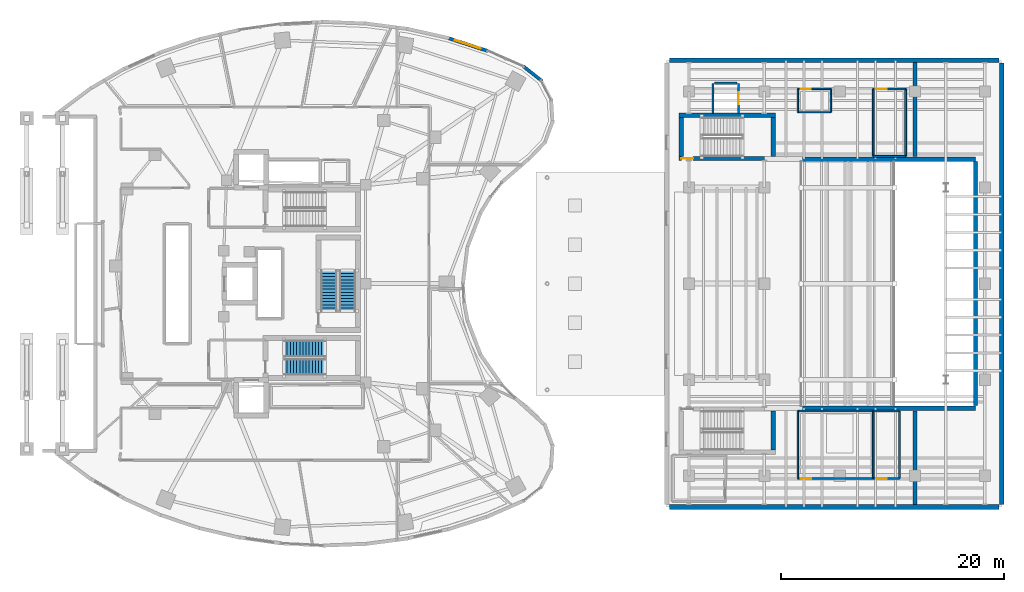
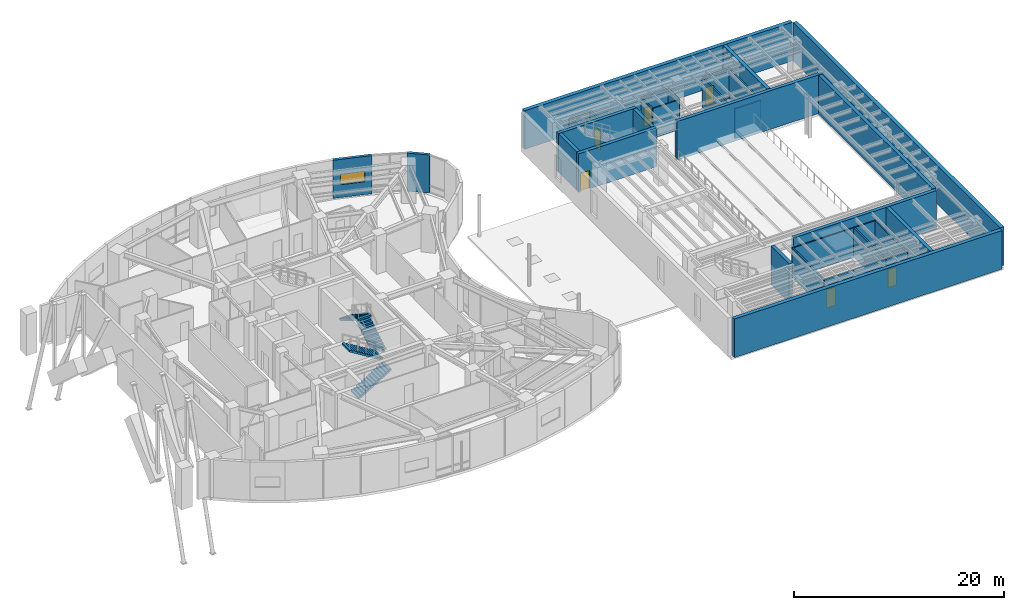
# One storey, part 19 of 24: 33 walls, 6 doors, 4 stair flights, 1 window, 7 openings, 2 elements without a shape of their own.
"""IFC4 building model written with IfcOpenShell, lengths in metres."""

from ifc_helpers import new_model, si_unit, direction, frame, frame_2d, origin, place, context, subcontext, project, spatial, polyline, rectangle, outline, extrude, material, layer, layer_set, type_object, element, fill, aggregate, save


model = new_model("IFC4")

# Units and contexts
model_context = context("Model", 3, precision=1e-05, world=origin(), true_north=direction((0.0, 1.0)))
body_context = subcontext(model_context, "Body", "Model", "MODEL_VIEW")
ifc_project = project(units=[si_unit("LENGTHUNIT", "METRE"), si_unit("AREAUNIT", "SQUARE_METRE"), si_unit("VOLUMEUNIT", "CUBIC_METRE"), si_unit("PLANEANGLEUNIT", "RADIAN"), si_unit("MASSUNIT", "GRAM", prefix="KILO")], contexts=[model_context])

# Site, building, storey
site_placement = place(None, origin())
site = spatial("IfcSite", under=ifc_project, at=site_placement, CompositionType="ELEMENT")
building_placement = place(site_placement, origin())
building = spatial("IfcBuilding", under=site, at=building_placement, Name="Korentha Bioscience Tower", CompositionType="ELEMENT")
storey_placement = place(building_placement, frame((0.0, 0.0, 10.199951171875)))
storey = spatial("IfcBuildingStorey", under=building, at=storey_placement, Name="L02", CompositionType="ELEMENT", Elevation=10.199951171875)

# Wall, opening, door
ifc_material_1 = material(Name="Double-Stud Acoustic Gypsum", Category="gypsum")
ifc_layer_1 = layer(ifc_material_1, 0.14990234375, Name="Double-Stud Acoustic Gypsum")
ifc_layer_set_1 = layer_set([ifc_layer_1], Name="Double-Stud Acoustic Gypsum (IW-L150)")
wall_type_1 = type_object("IfcWallType", Name="Acoustic Laboratory Partition Wall 150", PredefinedType="PARTITIONING", material=ifc_layer_set_1)
wall_1_placement = place(storey_placement, frame((83.0, 9.56005859375, 0.0), z_axis=(0.0, 0.0, 1.0), x_axis=(-1.0, 0.0, 0.0)))
wall_1 = element("IfcWall", 1, at=wall_1_placement, inside=storey, type_object=wall_type_1, Name="L02 L02 Soloists' Dressing Suite Entrance Wall", PredefinedType="PARTITIONING", context=body_context, shape_type="SweptSolid", body=[
    extrude(rectangle(XDim=6.75, YDim=0.14990234375, at=frame_2d((3.375, 0.0))), origin(), (0.0, 0.0, 1.0), 3.4599609375),
])
opening_1_placement = place(wall_1_placement, frame((5.56005859375, 0.0, 0.0)))
opening_1 = element("IfcOpeningElement", 2, at=opening_1_placement, cuts=wall_1, Name="Opening ID-10L", PredefinedType="OPENING", context=body_context, shape_type="SweptSolid", body=[
    extrude(rectangle(XDim=0.949951171875, YDim=2.14990234375, at=frame_2d((0.47509765625, 1.074951171875))), frame((0.0, 0.08984375, 0.0), z_axis=(0.0, -1.0, 0.0), x_axis=(1.0, 0.0, 0.0)), (0.0, 0.0, 1.0), 0.1796875),
])
ifc_material_2 = material(Name="Phenolic Laminate Timber Core", Category="wood")
door_type_1 = type_object("IfcDoorType", Name="Laboratory Single Leaf Door 950x2150 Left", OperationType="SINGLE_SWING_LEFT", PredefinedType="DOOR", material=ifc_material_2)
door_1_placement = place(opening_1_placement, origin())
door_1 = element("IfcDoor", 3, at=door_1_placement, inside=storey, type_object=door_type_1, Name="L02 L02 Soloists' Dressing Suite Door", OperationType="SINGLE_SWING_LEFT", OverallHeight=2.14990234375, OverallWidth=0.949951171875, PredefinedType="DOOR", context=body_context, shape_type="SweptSolid", body=[
    extrude(rectangle(XDim=0.949951171875, YDim=2.14990234375, at=frame_2d((0.47509765625, 1.074951171875))), frame((0.0, 0.02490234375, 0.0), z_axis=(0.0, -1.0, 0.0), x_axis=(1.0, 0.0, 0.0)), (0.0, 0.0, 1.0), 0.050048828125),
])
fill(opening_1, door_1)

wall_2_placement = place(storey_placement, frame((85.35009765625, 9.56005859375, 0.0), z_axis=(0.0, 0.0, 1.0), x_axis=(-1.0, 0.0, 0.0)))
wall_2 = element("IfcWall", 4, at=wall_2_placement, inside=storey, type_object=wall_type_1, Name="L02 L02 Ensemble Rehearsal Studio Entrance Wall", PredefinedType="PARTITIONING", context=body_context, shape_type="SweptSolid", body=[
    extrude(rectangle(XDim=2.340087890625, YDim=0.14990234375, at=frame_2d((1.169921875, 0.0))), origin(), (0.0, 0.0, 1.0), 3.4599609375),
])
opening_2_placement = place(wall_2_placement, frame((1.14990234375, 0.0, 0.0)))
opening_2 = element("IfcOpeningElement", 5, at=opening_2_placement, cuts=wall_2, Name="Opening ID-10R", PredefinedType="OPENING", context=body_context, shape_type="SweptSolid", body=[
    extrude(rectangle(XDim=0.949951171875, YDim=2.14990234375, at=frame_2d((0.47509765625, 1.074951171875))), frame((0.0, 0.08984375, 0.0), z_axis=(0.0, -1.0, 0.0), x_axis=(1.0, 0.0, 0.0)), (0.0, 0.0, 1.0), 0.1796875),
])
door_type_2 = type_object("IfcDoorType", Name="Laboratory Single Leaf Door 950x2150 Right", OperationType="SINGLE_SWING_RIGHT", PredefinedType="DOOR", material=ifc_material_2)
door_2_placement = place(opening_2_placement, origin())
door_2 = element("IfcDoor", 6, at=door_2_placement, inside=storey, type_object=door_type_2, Name="L02 L02 Ensemble Rehearsal Studio Door", OperationType="SINGLE_SWING_RIGHT", OverallHeight=2.14990234375, OverallWidth=0.949951171875, PredefinedType="DOOR", context=body_context, shape_type="SweptSolid", body=[
    extrude(rectangle(XDim=0.949951171875, YDim=2.14990234375, at=frame_2d((0.47509765625, 1.074951171875))), frame((0.0, 0.02490234375, 0.0), z_axis=(0.0, -1.0, 0.0), x_axis=(1.0, 0.0, 0.0)), (0.0, 0.0, 1.0), 0.050048828125),
])
fill(opening_2, door_2)

# Walls
for number, where, z_axis, x_axis, name in (
    (7, (83.0, 15.60009765625, 0.0), (0.0, 0.0, 1.0), (0.0, -1.0, 0.0), "L02 Interior Partition 074"),
    (8, (76.25, 9.56005859375, 0.0), (0.0, 0.0, 1.0), (0.0, 1.0, 0.0), "L02 Interior Partition 075"),
):
    element("IfcWall", number, at=place(storey_placement, frame(where, z_axis=z_axis, x_axis=x_axis)), inside=storey, type_object=wall_type_1, Name=name, PredefinedType="PARTITIONING", context=body_context, shape_type="SweptSolid", body=[
        extrude(rectangle(XDim=6.0400390625, YDim=0.14990234375, at=frame_2d((3.02001953125, 0.0))), origin(), (0.0, 0.0, 1.0), 3.4599609375),
    ])
wall_3_placement = place(storey_placement, frame((76.25, 15.60009765625, 0.0), z_axis=(0.0, 0.0, 1.0), x_axis=(1.0, 0.0, 0.0)))
element("IfcWall", 9, at=wall_3_placement, inside=storey, type_object=wall_type_1, Name="L02 Interior Partition 076", PredefinedType="PARTITIONING", context=body_context, shape_type="SweptSolid", body=[
    extrude(rectangle(XDim=6.75, YDim=0.14990234375, at=frame_2d((3.375, 0.0))), origin(), (0.0, 0.0, 1.0), 3.4599609375),
])
wall_4_placement = place(storey_placement, frame((85.35009765625, 15.60009765625, 0.0), z_axis=(0.0, 0.0, 1.0), x_axis=(0.0, -1.0, 0.0)))
element("IfcWall", 10, at=wall_4_placement, inside=storey, type_object=wall_type_1, Name="L02 Interior Partition 077", PredefinedType="PARTITIONING", context=body_context, shape_type="SweptSolid", body=[
    extrude(rectangle(XDim=6.0400390625, YDim=0.14990234375, at=frame_2d((3.02001953125, 0.0))), origin(), (0.0, 0.0, 1.0), 3.4599609375),
])
wall_5_placement = place(storey_placement, frame((83.010009765625, 15.60009765625, 0.0), z_axis=(0.0, 0.0, 1.0), x_axis=(1.0, 0.0, 0.0)))
element("IfcWall", 11, at=wall_5_placement, inside=storey, type_object=wall_type_1, Name="L02 Interior Partition 078", PredefinedType="PARTITIONING", context=body_context, shape_type="SweptSolid", body=[
    extrude(rectangle(XDim=2.340087890625, YDim=0.14990234375, at=frame_2d((1.169921875, 0.0))), origin(), (0.0, 0.0, 1.0), 3.4599609375),
])

# Wall, opening, door
ifc_material_3 = material(Name="Gypsum-Clad Steel Stud", Category="steel")
ifc_layer_2 = layer(ifc_material_3, 0.159912109375, Name="Gypsum-Clad Steel Stud")
ifc_layer_set_2 = layer_set([ifc_layer_2], Name="Gypsum-Clad Steel Stud (IW-C160)")
wall_type_2 = type_object("IfcWallType", Name="Fire-Rated Corridor Partition Wall 160", PredefinedType="PARTITIONING", material=ifc_layer_set_2)
wall_6_placement = place(storey_placement, frame((83.0, 44.43994140625, 0.0), z_axis=(0.0, 0.0, 1.0), x_axis=(1.0, 0.0, 0.0)))
wall_6 = element("IfcWall", 12, at=wall_6_placement, inside=storey, type_object=wall_type_2, Name="L02 L02 Stage Lighting Dimmer Store Entrance Wall", PredefinedType="PARTITIONING", context=body_context, shape_type="SweptSolid", body=[
    extrude(rectangle(XDim=2.89990234375, YDim=0.159912109375, at=frame_2d((1.449951171875, 0.0))), origin(), (0.0, 0.0, 1.0), 3.4599609375),
])
opening_3_placement = place(wall_6_placement, frame((0.239990234375, 0.0, 0.0)))
opening_3 = element("IfcOpeningElement", 13, at=opening_3_placement, cuts=wall_6, Name="Opening ID-10L", PredefinedType="OPENING", context=body_context, shape_type="SweptSolid", body=[
    extrude(rectangle(XDim=0.949951171875, YDim=2.14990234375, at=frame_2d((0.47509765625, 1.074951171875))), frame((0.0, 0.0947265625, 0.0), z_axis=(0.0, -1.0, 0.0), x_axis=(1.0, 0.0, 0.0)), (0.0, 0.0, 1.0), 0.189697265625),
])
door_3_placement = place(opening_3_placement, origin())
door_3 = element("IfcDoor", 14, at=door_3_placement, inside=storey, type_object=door_type_1, Name="L02 L02 Stage Lighting Dimmer Store Door", OperationType="SINGLE_SWING_LEFT", OverallHeight=2.14990234375, OverallWidth=0.949951171875, PredefinedType="DOOR", context=body_context, shape_type="SweptSolid", body=[
    extrude(rectangle(XDim=0.949951171875, YDim=2.14990234375, at=frame_2d((0.47509765625, 1.074951171875))), frame((0.0, 0.02490234375, 0.0), z_axis=(0.0, -1.0, 0.0), x_axis=(1.0, 0.0, 0.0)), (0.0, 0.0, 1.0), 0.050048828125),
])
fill(opening_3, door_3)

# Walls
wall_7_placement = place(storey_placement, frame((85.89990234375, 38.39990234375, 0.0), z_axis=(0.0, 0.0, 1.0), x_axis=(-1.0, 0.0, 0.0)))
element("IfcWall", 15, at=wall_7_placement, inside=storey, type_object=wall_type_2, Name="L02 Interior Partition 079", PredefinedType="PARTITIONING", context=body_context, shape_type="SweptSolid", body=[
    extrude(rectangle(XDim=2.89990234375, YDim=0.159912109375, at=frame_2d((1.449951171875, 0.0))), origin(), (0.0, 0.0, 1.0), 3.4599609375),
])
for number, where, z_axis, x_axis, name in (
    (16, (83.0, 38.39990234375, 0.0), (0.0, 0.0, 1.0), (0.0, 1.0, 0.0), "L02 Interior Partition 080"),
    (17, (85.89990234375, 44.43994140625, 0.0), (0.0, 0.0, 1.0), (0.0, -1.0, 0.0), "L02 Interior Partition 081"),
):
    element("IfcWall", number, at=place(storey_placement, frame(where, z_axis=z_axis, x_axis=x_axis)), inside=storey, type_object=wall_type_2, Name=name, PredefinedType="PARTITIONING", context=body_context, shape_type="SweptSolid", body=[
        extrude(rectangle(XDim=6.0400390625, YDim=0.159912109375, at=frame_2d((3.02001953125, 0.0))), origin(), (0.0, 0.0, 1.0), 3.4599609375),
    ])

# Wall, opening, window
ifc_material_4 = material(Name="Honed Limestone Precast Concrete C40", Category="masonry")
ifc_layer_3 = layer(ifc_material_4, 0.300048828125, Name="Honed Limestone Precast Concrete C40")
ifc_layer_set_3 = layer_set([ifc_layer_3], Name="Honed Limestone Precast Concrete C40 (EW-ST300)")
wall_type_3 = type_object("IfcWallType", Name="Honed Limestone Cavity Spandrel Wall 300", PredefinedType="STANDARD", material=ifc_layer_set_3)
wall_8_placement = place(storey_placement, frame((48.49951171875, 47.836181640625, 0.0), z_axis=(0.0, 0.0, 1.0), x_axis=(-0.950958033078, 0.30931993037, 0.0)))
wall_8 = element("IfcWall", 18, at=wall_8_placement, inside=storey, type_object=wall_type_3, Name="L02 Honed Limestone Spandrel Wall 02", PredefinedType="STANDARD", context=body_context, shape_type="SweptSolid", body=[
    extrude(rectangle(XDim=3.80029296875, YDim=0.300048828125, at=frame_2d((1.900146484375, 0.0))), origin(), (0.0, 0.0, 1.0), 4.449951171875),
])
opening_4_placement = place(wall_8_placement, frame((0.7001953125, 0.0, 1.5)))
opening_4 = element("IfcOpeningElement", 19, at=opening_4_placement, cuts=wall_8, Name="Opening WN-04", PredefinedType="OPENING", context=body_context, shape_type="SweptSolid", body=[
    extrude(rectangle(XDim=2.39990234375, YDim=1.199951171875, at=frame_2d((1.199951171875, 0.60009765625))), frame((0.0, 0.1650390625, 0.0), z_axis=(0.0, -1.0, 0.0), x_axis=(1.0, 0.0, 0.0)), (0.0, 0.0, 1.0), 0.329833984375),
])
ifc_material_5 = material(Name="Thermally Broken Aluminium Triple Glazing", Category="aluminium")
window_type = type_object("IfcWindowType", Name="Podium Clerestory Ribbon Window 2400x1200", PartitioningType="DOUBLE_PANEL_HORIZONTAL", PredefinedType="WINDOW", material=ifc_material_5)
window_placement = place(opening_4_placement, origin())
window = element("IfcWindow", 20, at=window_placement, inside=storey, type_object=window_type, Name="L02 Facade Window 02", OverallHeight=1.199951171875, OverallWidth=2.39990234375, PartitioningType="DOUBLE_PANEL_HORIZONTAL", PredefinedType="WINDOW", context=body_context, shape_type="SweptSolid", body=[
    extrude(rectangle(XDim=2.39990234375, YDim=1.199951171875, at=frame_2d((1.199951171875, 0.60009765625))), frame((0.0, 0.030029296875, 0.0), z_axis=(0.0, -1.0, 0.0), x_axis=(1.0, 0.0, 0.0)), (0.0, 0.0, 1.0), 0.06005859375),
])
fill(opening_4, window)

# Walls
wall_9_placement = place(storey_placement, frame((53.343994140625, 45.142822265625, 0.0), z_axis=(0.0, 0.0, 1.0), x_axis=(-0.782282158644, 0.622924252432, 0.0)))
element("IfcWall", 21, at=wall_9_placement, inside=storey, type_object=wall_type_3, Name="L02 Limestone Perimeter Closure Wall 62", PredefinedType="STANDARD", context=body_context, shape_type="SweptSolid", body=[
    extrude(rectangle(XDim=2.187744140625, YDim=0.300048828125, at=frame_2d((1.09375, 0.0))), origin(), (0.0, 0.0, 1.0), 4.449951171875),
])
ifc_material_6 = material(Name="Autoclaved Aerated Concrete Block C25", Category="concrete")
ifc_layer_4 = layer(ifc_material_6, 0.199951171875, Name="Autoclaved Aerated Concrete Block C25")
ifc_layer_set_4 = layer_set([ifc_layer_4], Name="Autoclaved Aerated Concrete Block C25 (IW-S200)")
wall_type_4 = type_object("IfcWallType", Name="Lift and Riser Shaft Enclosure Wall 200", PredefinedType="PARTITIONING", material=ifc_layer_set_4)
wall_10_placement = place(storey_placement, frame((68.659912109375, 42.260009765625, 0.0), z_axis=(0.0, 0.0, 1.0), x_axis=(0.0, 1.0, 0.0)))
element("IfcWall", 22, at=wall_10_placement, inside=storey, type_object=wall_type_4, Name="L02 Lift Bank LT1 Shaft Wall -X", PredefinedType="PARTITIONING", context=body_context, shape_type="SweptSolid", body=[
    extrude(rectangle(XDim=2.679931640625, YDim=0.199951171875, at=frame_2d((1.33984375, 0.0))), origin(), (0.0, 0.0, 1.0), 3.4599609375),
])

# Wall, opening, door
wall_11_placement = place(storey_placement, frame((70.93994140625, 42.260009765625, 0.0), z_axis=(0.0, 0.0, 1.0), x_axis=(0.0, 1.0, 0.0)))
wall_11 = element("IfcWall", 23, at=wall_11_placement, inside=storey, type_object=wall_type_4, Name="L02 Lift Bank LT1 Shaft Wall +X", PredefinedType="PARTITIONING", context=body_context, shape_type="SweptSolid", body=[
    extrude(rectangle(XDim=2.679931640625, YDim=0.199951171875, at=frame_2d((1.33984375, 0.0))), origin(), (0.0, 0.0, 1.0), 3.4599609375),
])
opening_5_placement = place(wall_11_placement, frame((0.7900390625, 0.0, 0.0)))
opening_5 = element("IfcOpeningElement", 24, at=opening_5_placement, cuts=wall_11, Name="Opening LD-11", PredefinedType="OPENING", context=body_context, shape_type="SweptSolid", body=[
    extrude(rectangle(XDim=1.10009765625, YDim=2.199951171875, at=frame_2d((0.550048828125, 1.10009765625))), frame((0.0, 0.11474609375, 0.0), z_axis=(0.0, -1.0, 0.0), x_axis=(1.0, 0.0, 0.0)), (0.0, 0.0, 1.0), 0.229736328125),
])
ifc_material_7 = material(Name="Brushed Stainless Steel 304", Category="steel")
door_type_3 = type_object("IfcDoorType", Name="Passenger Lift Sliding Landing Door 1100x2200", OperationType="DOUBLE_DOOR_SLIDING", PredefinedType="DOOR", material=ifc_material_7)
door_4_placement = place(opening_5_placement, origin())
door_4 = element("IfcDoor", 25, at=door_4_placement, inside=storey, type_object=door_type_3, Name="L02 LT-1 Sliding Lift Landing Door", OperationType="DOUBLE_DOOR_SLIDING", OverallHeight=2.199951171875, OverallWidth=1.10009765625, PredefinedType="DOOR", context=body_context, shape_type="SweptSolid", body=[
    extrude(rectangle(XDim=1.10009765625, YDim=2.199951171875, at=frame_2d((0.550048828125, 1.10009765625))), frame((0.0, 0.02490234375, 0.0), z_axis=(0.0, -1.0, 0.0), x_axis=(1.0, 0.0, 0.0)), (0.0, 0.0, 1.0), 0.050048828125),
])
fill(opening_5, door_4)

# Walls
wall_12_placement = place(storey_placement, frame((68.780029296875, 44.93994140625, 0.0), z_axis=(0.0, 0.0, 1.0), x_axis=(1.0, 0.0, 0.0)))
element("IfcWall", 26, at=wall_12_placement, inside=storey, type_object=wall_type_4, Name="L02 Lift Bank LT1 Shaft Wall +Y", PredefinedType="PARTITIONING", context=body_context, shape_type="SweptSolid", body=[
    extrude(rectangle(XDim=2.0400390625, YDim=0.199951171875, at=frame_2d((1.02001953125, 0.0))), origin(), (0.0, 0.0, 1.0), 3.4599609375),
])
ifc_material_8 = material(Name="Concrete C50", Category="concrete")
ifc_layer_5 = layer(ifc_material_8, 0.419921875, Name="Concrete C50")
ifc_layer_set_5 = layer_set([ifc_layer_5], Name="Concrete C50 (TW-E420)")
wall_type_5 = type_object("IfcWallType", Name="Theatre Acoustic Shear Wall 420", PredefinedType="SHEAR", material=ifc_layer_set_5)
wall_13_placement = place(storey_placement, frame((64.75, 47.0, 0.0), z_axis=(0.0, 0.0, 1.0), x_axis=(1.0, 0.0, 0.0)))
element("IfcWall", 27, at=wall_13_placement, inside=storey, type_object=wall_type_5, Name="L02 Theatre Acoustic Shear Wall N", PredefinedType="SHEAR", context=body_context, shape_type="SweptSolid", body=[
    extrude(rectangle(XDim=29.5, YDim=0.419921875, at=frame_2d((14.75, 0.0))), origin(), (0.0, 0.0, 1.0), 4.5),
])
wall_14_placement = place(storey_placement, frame((94.5, 46.75, 0.0), z_axis=(0.0, 0.0, 1.0), x_axis=(0.0, -1.0, 0.0)))
element("IfcWall", 28, at=wall_14_placement, inside=storey, type_object=wall_type_5, Name="L02 Theatre Acoustic Shear Wall E", PredefinedType="SHEAR", context=body_context, shape_type="SweptSolid", body=[
    extrude(rectangle(XDim=39.5, YDim=0.419921875, at=frame_2d((19.75, 0.0))), origin(), (0.0, 0.0, 1.0), 4.5),
])
wall_15_placement = place(storey_placement, frame((94.25, 7.0, 0.0), z_axis=(0.0, 0.0, 1.0), x_axis=(-1.0, 0.0, 0.0)))
element("IfcWall", 29, at=wall_15_placement, inside=storey, type_object=wall_type_5, Name="L02 Theatre Acoustic Shear Wall S", PredefinedType="SHEAR", context=body_context, shape_type="SweptSolid", body=[
    extrude(rectangle(XDim=29.5, YDim=0.419921875, at=frame_2d((14.75, 0.0))), origin(), (0.0, 0.0, 1.0), 4.5),
])
ifc_layer_6 = layer(ifc_material_8, 0.3798828125, Name="Concrete C50")
ifc_layer_set_6 = layer_set([ifc_layer_6], Name="Concrete C50 (TW-I380)")
wall_type_6 = type_object("IfcWallType", Name="Theatre Proscenium Shear Wall 380", PredefinedType="SHEAR", material=ifc_layer_set_6)
for number, where, z_axis, x_axis, name in (
    (30, (86.75, 38.3798828125, 0.0), (0.0, 0.0, 1.0), (0.0, 1.0, 0.0), "L02 Theatre Shear Wall PROSC-N"),
    (31, (86.75, 7.2099609375, 0.0), (0.0, 0.0, 1.0), (0.0, 1.0, 0.0), "L02 Theatre Shear Wall PROSC-S"),
):
    element("IfcWall", number, at=place(storey_placement, frame(where, z_axis=z_axis, x_axis=x_axis)), inside=storey, type_object=wall_type_6, Name=name, PredefinedType="SHEAR", context=body_context, shape_type="SweptSolid", body=[
        extrude(rectangle(XDim=8.41015625, YDim=0.3798828125, at=frame_2d((4.205078125, 0.0))), origin(), (0.0, 0.0, 1.0), 4.5),
    ])
for number, where, z_axis, x_axis, name in (
    (32, (76.39990234375, 15.85009765625, 0.0), (0.0, 0.0, 1.0), (1.0, 0.0, 0.0), "L02 Theatre Shear Wall ACSH-S1"),
    (33, (76.39990234375, 38.14990234375, 0.0), (0.0, 0.0, 1.0), (1.0, 0.0, 0.0), "L02 Theatre Shear Wall ACSH-N1"),
):
    element("IfcWall", number, at=place(storey_placement, frame(where, z_axis=z_axis, x_axis=x_axis)), inside=storey, type_object=wall_type_6, Name=name, PredefinedType="SHEAR", context=body_context, shape_type="SweptSolid", body=[
        extrude(rectangle(XDim=15.75, YDim=0.3798828125, at=frame_2d((7.875, 0.0))), origin(), (0.0, 0.0, 1.0), 4.5),
    ])
wall_16_placement = place(storey_placement, frame((92.14990234375, 16.080078125, 0.0), z_axis=(0.0, 0.0, 1.0), x_axis=(0.0, 1.0, 0.0)))
element("IfcWall", 34, at=wall_16_placement, inside=storey, type_object=wall_type_6, Name="L02 Theatre Shear Wall FLY-E", PredefinedType="SHEAR", context=body_context, shape_type="SweptSolid", body=[
    extrude(rectangle(XDim=21.83984375, YDim=0.3798828125, at=frame_2d((10.919921875, 0.0))), origin(), (0.0, 0.0, 1.0), 4.5),
])
wall_17_placement = place(storey_placement, frame((74.0400390625, 12.110107421875, 0.0), z_axis=(0.0, 0.0, 1.0), x_axis=(0.0, 1.0, 0.0)))
element("IfcWall", 35, at=wall_17_placement, inside=storey, type_object=wall_type_6, Name="L02 Theatre Shear Wall STT1-E", PredefinedType="SHEAR", context=body_context, shape_type="SweptSolid", body=[
    extrude(rectangle(XDim=3.47998046875, YDim=0.3798828125, at=frame_2d((1.739990234375, 0.0))), origin(), (0.0, 0.0, 1.0), 4.5),
])

# Wall, opening, door
wall_18_placement = place(storey_placement, frame((65.6201171875, 38.2099609375, 0.0), z_axis=(0.0, 0.0, 1.0), x_axis=(1.0, 0.0, 0.0)))
wall_18 = element("IfcWall", 36, at=wall_18_placement, inside=storey, type_object=wall_type_6, Name="L02 Theatre Shear Wall STT2-S", PredefinedType="SHEAR", context=body_context, shape_type="SweptSolid", body=[
    extrude(rectangle(XDim=8.60986328125, YDim=0.3798828125, at=frame_2d((4.304931640625, 0.0))), origin(), (0.0, 0.0, 1.0), 4.5),
])
opening_6_placement = place(wall_18_placement, frame((0.199951171875, 0.0, 0.0)))
opening_6 = element("IfcOpeningElement", 37, at=opening_6_placement, cuts=wall_18, Name="Opening FD-90R", PredefinedType="OPENING", context=body_context, shape_type="SweptSolid", body=[
    extrude(rectangle(XDim=1.050048828125, YDim=2.14990234375, at=frame_2d((0.52490234375, 1.074951171875))), frame((0.0, 0.204833984375, 0.0), z_axis=(0.0, -1.0, 0.0), x_axis=(1.0, 0.0, 0.0)), (0.0, 0.0, 1.0), 0.40966796875),
])
ifc_material_9 = material(Name="Powder-Coated Fire-Rated Steel", Category="steel")
door_type_4 = type_object("IfcDoorType", Name="Stairwell Fire Exit Door 1050x2150 Right", OperationType="SINGLE_SWING_RIGHT", PredefinedType="DOOR", material=ifc_material_9)
door_5_placement = place(opening_6_placement, origin())
door_5 = element("IfcDoor", 38, at=door_5_placement, inside=storey, type_object=door_type_4, Name="L02 ST-T2 Fire Exit Stair Door", OperationType="SINGLE_SWING_RIGHT", OverallHeight=2.14990234375, OverallWidth=1.050048828125, PredefinedType="DOOR", context=body_context, shape_type="SweptSolid", body=[
    extrude(rectangle(XDim=1.050048828125, YDim=2.14990234375, at=frame_2d((0.52490234375, 1.074951171875))), frame((0.0, 0.02490234375, 0.0), z_axis=(0.0, -1.0, 0.0), x_axis=(1.0, 0.0, 0.0)), (0.0, 0.0, 1.0), 0.050048828125),
])
fill(opening_6, door_5)

# Walls
wall_19_placement = place(storey_placement, frame((65.6201171875, 42.090087890625, 0.0), z_axis=(0.0, 0.0, 1.0), x_axis=(1.0, 0.0, 0.0)))
element("IfcWall", 39, at=wall_19_placement, inside=storey, type_object=wall_type_6, Name="L02 Theatre Shear Wall STT2-N", PredefinedType="SHEAR", context=body_context, shape_type="SweptSolid", body=[
    extrude(rectangle(XDim=8.60986328125, YDim=0.3798828125, at=frame_2d((4.304931640625, 0.0))), origin(), (0.0, 0.0, 1.0), 4.5),
])
for number, where, z_axis, x_axis, name in (
    (40, (74.0400390625, 38.409912109375, 0.0), (0.0, 0.0, 1.0), (0.0, 1.0, 0.0), "L02 Theatre Shear Wall STT2-E"),
    (41, (65.81005859375, 38.409912109375, 0.0), (0.0, 0.0, 1.0), (0.0, 1.0, 0.0), "L02 Theatre Shear Wall STT2-W"),
):
    element("IfcWall", number, at=place(storey_placement, frame(where, z_axis=z_axis, x_axis=x_axis)), inside=storey, type_object=wall_type_6, Name=name, PredefinedType="SHEAR", context=body_context, shape_type="SweptSolid", body=[
        extrude(rectangle(XDim=3.47998046875, YDim=0.3798828125, at=frame_2d((1.739990234375, 0.0))), origin(), (0.0, 0.0, 1.0), 4.5),
    ])

# Wall, opening, door
ifc_material_10 = material(Name="Cement-Board Steel Stud", Category="steel")
ifc_layer_7 = layer(ifc_material_10, 0.1298828125, Name="Cement-Board Steel Stud")
ifc_layer_set_7 = layer_set([ifc_layer_7], Name="Cement-Board Steel Stud (IW-W130)")
wall_type_7 = type_object("IfcWallType", Name="Wet-Area Moisture-Resistant Partition 130", PredefinedType="PARTITIONING", material=ifc_layer_set_7)
wall_20_placement = place(storey_placement, frame((76.25, 44.43994140625, 0.0), z_axis=(0.0, 0.0, 1.0), x_axis=(1.0, 0.0, 0.0)))
wall_20 = element("IfcWall", 42, at=wall_20_placement, inside=storey, type_object=wall_type_7, Name="L02 L02 Theatre Accessible WC Entrance Wall", PredefinedType="PARTITIONING", context=body_context, shape_type="SweptSolid", body=[
    extrude(rectangle(XDim=2.949951171875, YDim=0.1298828125, at=frame_2d((1.47509765625, 0.0))), origin(), (0.0, 0.0, 1.0), 3.4599609375),
])
opening_7_placement = place(wall_20_placement, frame((0.239990234375, 0.0, 0.0)))
opening_7 = element("IfcOpeningElement", 43, at=opening_7_placement, cuts=wall_20, Name="Opening ID-09R", PredefinedType="OPENING", context=body_context, shape_type="SweptSolid", body=[
    extrude(rectangle(XDim=0.89990234375, YDim=2.14990234375, at=frame_2d((0.449951171875, 1.074951171875))), frame((0.0, 0.079833984375, 0.0), z_axis=(0.0, -1.0, 0.0), x_axis=(1.0, 0.0, 0.0)), (0.0, 0.0, 1.0), 0.15966796875),
])
ifc_material_11 = material(Name="Moisture-Resistant HPL Leaf", Category="wood")
door_type_5 = type_object("IfcDoorType", Name="Restroom & Accessible WC Door 900x2150 Right", OperationType="SINGLE_SWING_RIGHT", PredefinedType="DOOR", material=ifc_material_11)
door_6_placement = place(opening_7_placement, origin())
door_6 = element("IfcDoor", 44, at=door_6_placement, inside=storey, type_object=door_type_5, Name="L02 L02 Theatre Accessible WC Door", OperationType="SINGLE_SWING_RIGHT", OverallHeight=2.14990234375, OverallWidth=0.89990234375, PredefinedType="DOOR", context=body_context, shape_type="SweptSolid", body=[
    extrude(rectangle(XDim=0.89990234375, YDim=2.14990234375, at=frame_2d((0.449951171875, 1.074951171875))), frame((0.0, 0.02490234375, 0.0), z_axis=(0.0, -1.0, 0.0), x_axis=(1.0, 0.0, 0.0)), (0.0, 0.0, 1.0), 0.050048828125),
])
fill(opening_7, door_6)

# Walls
wall_21_placement = place(storey_placement, frame((79.199951171875, 42.35009765625, 0.0), z_axis=(0.0, 0.0, 1.0), x_axis=(-1.0, 0.0, 0.0)))
element("IfcWall", 45, at=wall_21_placement, inside=storey, type_object=wall_type_7, Name="L02 Interior Partition 071", PredefinedType="PARTITIONING", context=body_context, shape_type="SweptSolid", body=[
    extrude(rectangle(XDim=2.949951171875, YDim=0.1298828125, at=frame_2d((1.47509765625, 0.0))), origin(), (0.0, 0.0, 1.0), 3.4599609375),
])
for number, where, z_axis, x_axis, name in (
    (46, (76.25, 42.35009765625, 0.0), (0.0, 0.0, 1.0), (0.0, 1.0, 0.0), "L02 Interior Partition 072"),
    (47, (79.199951171875, 44.43994140625, 0.0), (0.0, 0.0, 1.0), (0.0, -1.0, 0.0), "L02 Interior Partition 073"),
):
    element("IfcWall", number, at=place(storey_placement, frame(where, z_axis=z_axis, x_axis=x_axis)), inside=storey, type_object=wall_type_7, Name=name, PredefinedType="PARTITIONING", context=body_context, shape_type="SweptSolid", body=[
        extrude(rectangle(XDim=2.08984375, YDim=0.1298828125, at=frame_2d((1.044921875, 0.0))), origin(), (0.0, 0.0, 1.0), 3.4599609375),
    ])

# Stair, stair flights
ifc_material_12 = material(Name="Precast Concrete C50", Category="concrete")
stair_type = type_object("IfcStairType", Name="Core Exit Dog-Leg Stair 1450", PredefinedType="HALF_TURN_STAIR", material=ifc_material_12)
stair_1_placement = place(storey_placement, origin())
stair_1 = element("IfcStair", 48, at=stair_1_placement, inside=storey, type_object=stair_type, Name="L02 Tower South Pressurized Exit Stair ST-2", PredefinedType="HALF_TURN_STAIR")
stair_flight_type = type_object("IfcStairFlightType", Name="Core Exit Dog-Leg Stair 1450 Flight", PredefinedType="STRAIGHT", material=ifc_material_12)
stair_flight_1_placement = place(storey_placement, frame((30.25, 19.52490234375, 0.0), z_axis=(0.0, 0.0, 1.0), x_axis=(1.0, 0.0, 0.0)))
stair_flight_1 = element("IfcStairFlight", 49, at=stair_flight_1_placement, type_object=stair_flight_type, Name="ST-2 flight 1", NumberOfRisers=14, NumberOfTreads=13, PredefinedType="STRAIGHT", RiserHeight=0.171428571, TreadLength=0.28, context=body_context, shape_type="SweptSolid", body=[
    extrude(outline(polyline([(0.0, 0.0), (0.0, 0.17138671875), (0.280029296875, 0.17138671875), (0.280029296875, 0.3427734375), (0.56005859375, 0.3427734375), (0.56005859375, 0.514404296875), (0.840087890625, 0.514404296875), (0.840087890625, 0.685791015625), (1.1201171875, 0.685791015625), (1.1201171875, 0.857177734375), (1.39990234375, 0.857177734375), (1.39990234375, 1.028564453125), (1.679931640625, 1.028564453125), (1.679931640625, 1.199951171875), (1.9599609375, 1.199951171875), (1.9599609375, 1.371337890625), (2.239990234375, 1.371337890625), (2.239990234375, 1.54296875), (2.52001953125, 1.54296875), (2.52001953125, 1.71435546875), (2.800048828125, 1.71435546875), (2.800048828125, 1.8857421875), (3.080078125, 1.8857421875), (3.080078125, 2.05712890625), (3.360107421875, 2.05712890625), (3.360107421875, 2.228515625), (3.639892578125, 2.228515625), (3.639892578125, 2.39990234375), (3.639892578125, 2.041015625), (0.30615234375, 0.0), (0.0, 0.0)])), frame((0.0, 0.72509765625, 0.0), z_axis=(0.0, -1.0, 0.0), x_axis=(1.0, 0.0, 0.0)), (0.0, 0.0, 1.0), 1.449951171875),
])
stair_flight_2_placement = place(storey_placement, frame((33.889892578125, 21.175048828125, 2.400146484375), z_axis=(0.0, 0.0, 1.0), x_axis=(-1.0, 0.0, 0.0)))
stair_flight_2 = element("IfcStairFlight", 50, at=stair_flight_2_placement, type_object=stair_flight_type, Name="ST-2 flight 2", NumberOfRisers=14, NumberOfTreads=13, PredefinedType="STRAIGHT", RiserHeight=0.171428571, TreadLength=0.28, context=body_context, shape_type="SweptSolid", body=[
    extrude(outline(polyline([(0.0, 0.0), (0.0, 0.17138671875), (0.280029296875, 0.17138671875), (0.280029296875, 0.3427734375), (0.56005859375, 0.3427734375), (0.56005859375, 0.514404296875), (0.840087890625, 0.514404296875), (0.840087890625, 0.685791015625), (1.1201171875, 0.685791015625), (1.1201171875, 0.857177734375), (1.39990234375, 0.857177734375), (1.39990234375, 1.028564453125), (1.679931640625, 1.028564453125), (1.679931640625, 1.199951171875), (1.9599609375, 1.199951171875), (1.9599609375, 1.371337890625), (2.239990234375, 1.371337890625), (2.239990234375, 1.54296875), (2.52001953125, 1.54296875), (2.52001953125, 1.71435546875), (2.800048828125, 1.71435546875), (2.800048828125, 1.8857421875), (3.080078125, 1.8857421875), (3.080078125, 2.05712890625), (3.360107421875, 2.05712890625), (3.360107421875, 2.228515625), (3.639892578125, 2.228515625), (3.639892578125, 2.39990234375), (3.639892578125, 2.041015625), (0.30615234375, 0.0), (0.0, 0.0)])), frame((0.0, 0.72509765625, 0.0), z_axis=(0.0, -1.0, 0.0), x_axis=(1.0, 0.0, 0.0)), (0.0, 0.0, 1.0), 1.449951171875),
])
aggregate(stair_1, [stair_flight_1, stair_flight_2])

stair_2_placement = place(storey_placement, origin())
stair_2 = element("IfcStair", 51, at=stair_2_placement, inside=storey, type_object=stair_type, Name="L02 Tower Central Pressurized Exit Stair ST-3", PredefinedType="HALF_TURN_STAIR")
stair_flight_3_placement = place(storey_placement, frame((35.925048828125, 24.550048828125, 0.0), z_axis=(0.0, 0.0, 1.0), x_axis=(0.0, 1.0, 0.0)))
stair_flight_3 = element("IfcStairFlight", 52, at=stair_flight_3_placement, type_object=stair_flight_type, Name="ST-3 flight 1", NumberOfRisers=14, NumberOfTreads=13, PredefinedType="STRAIGHT", RiserHeight=0.171428571, TreadLength=0.28, context=body_context, shape_type="SweptSolid", body=[
    extrude(outline(polyline([(0.0, 0.0), (0.0, 0.17138671875), (0.280029296875, 0.17138671875), (0.280029296875, 0.3427734375), (0.56005859375, 0.3427734375), (0.56005859375, 0.514404296875), (0.840087890625, 0.514404296875), (0.840087890625, 0.685791015625), (1.1201171875, 0.685791015625), (1.1201171875, 0.857177734375), (1.39990234375, 0.857177734375), (1.39990234375, 1.028564453125), (1.679931640625, 1.028564453125), (1.679931640625, 1.199951171875), (1.9599609375, 1.199951171875), (1.9599609375, 1.371337890625), (2.239990234375, 1.371337890625), (2.239990234375, 1.54296875), (2.52001953125, 1.54296875), (2.52001953125, 1.71435546875), (2.800048828125, 1.71435546875), (2.800048828125, 1.8857421875), (3.080078125, 1.8857421875), (3.080078125, 2.05712890625), (3.360107421875, 2.05712890625), (3.360107421875, 2.228515625), (3.639892578125, 2.228515625), (3.639892578125, 2.39990234375), (3.639892578125, 2.041015625), (0.30615234375, 0.0), (0.0, 0.0)])), frame((0.0, 0.72509765625, 0.0), z_axis=(0.0, -1.0, 0.0), x_axis=(1.0, 0.0, 0.0)), (0.0, 0.0, 1.0), 1.449951171875),
])
stair_flight_4_placement = place(storey_placement, frame((34.27490234375, 28.18994140625, 2.400146484375), z_axis=(0.0, 0.0, 1.0), x_axis=(0.0, -1.0, 0.0)))
stair_flight_4 = element("IfcStairFlight", 53, at=stair_flight_4_placement, type_object=stair_flight_type, Name="ST-3 flight 2", NumberOfRisers=14, NumberOfTreads=13, PredefinedType="STRAIGHT", RiserHeight=0.171428571, TreadLength=0.28, context=body_context, shape_type="SweptSolid", body=[
    extrude(outline(polyline([(0.0, 0.0), (0.0, 0.17138671875), (0.280029296875, 0.17138671875), (0.280029296875, 0.3427734375), (0.56005859375, 0.3427734375), (0.56005859375, 0.514404296875), (0.840087890625, 0.514404296875), (0.840087890625, 0.685791015625), (1.1201171875, 0.685791015625), (1.1201171875, 0.857177734375), (1.39990234375, 0.857177734375), (1.39990234375, 1.028564453125), (1.679931640625, 1.028564453125), (1.679931640625, 1.199951171875), (1.9599609375, 1.199951171875), (1.9599609375, 1.371337890625), (2.239990234375, 1.371337890625), (2.239990234375, 1.54296875), (2.52001953125, 1.54296875), (2.52001953125, 1.71435546875), (2.800048828125, 1.71435546875), (2.800048828125, 1.8857421875), (3.080078125, 1.8857421875), (3.080078125, 2.05712890625), (3.360107421875, 2.05712890625), (3.360107421875, 2.228515625), (3.639892578125, 2.228515625), (3.639892578125, 2.39990234375), (3.639892578125, 2.041015625), (0.30615234375, 0.0), (0.0, 0.0)])), frame((0.0, 0.72509765625, 0.0), z_axis=(0.0, -1.0, 0.0), x_axis=(1.0, 0.0, 0.0)), (0.0, 0.0, 1.0), 1.449951171875),
])
aggregate(stair_2, [stair_flight_3, stair_flight_4])

save(model, "model.ifc")
